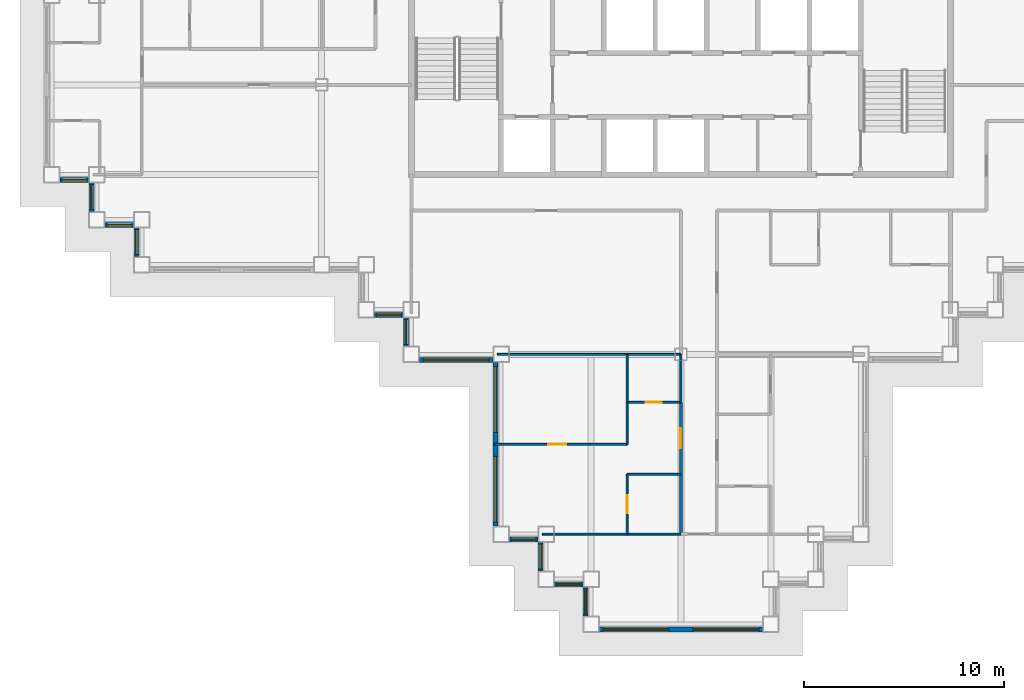
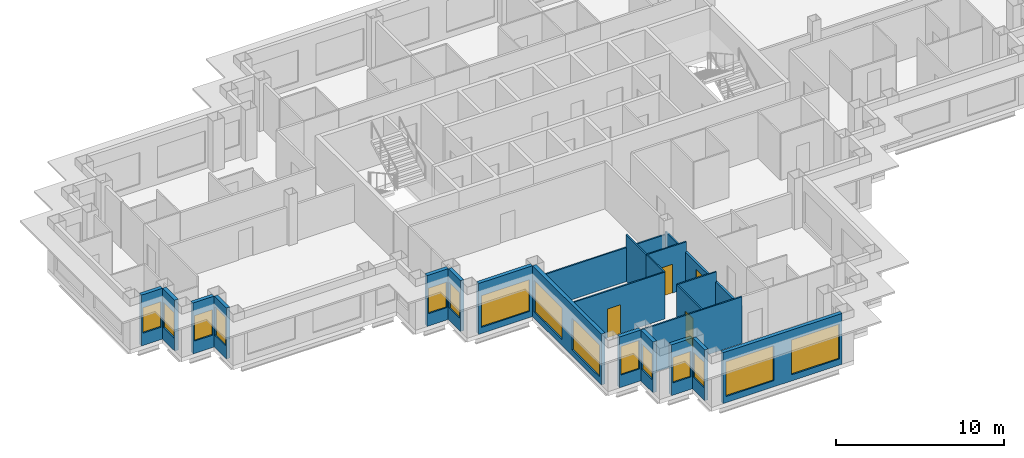
# One storey, part 3 of 13: 24 walls, 15 windows, 4 doors, 19 openings.
"""IFC4 building model written with IfcOpenShell, lengths in metres."""

from ifc_helpers import new_model, si_unit, direction, frame, frame_2d, origin, place, context, subcontext, project, spatial, rectangle, extrude, material, layer, layer_set, type_object, element, fill, save


model = new_model("IFC4")

# Units and contexts
model_context = context("Model", 3, precision=1e-05, world=origin(), true_north=direction((0.0, 1.0)))
body_context = subcontext(model_context, "Body", "Model", "MODEL_VIEW")
ifc_project = project(units=[si_unit("LENGTHUNIT", "METRE"), si_unit("AREAUNIT", "SQUARE_METRE"), si_unit("VOLUMEUNIT", "CUBIC_METRE"), si_unit("PLANEANGLEUNIT", "RADIAN"), si_unit("MASSUNIT", "GRAM", prefix="KILO")], contexts=[model_context])

# Site, building, storey
site_placement = place(None, origin())
site = spatial("IfcSite", under=ifc_project, at=site_placement, CompositionType="ELEMENT")
building_placement = place(site_placement, origin())
building = spatial("IfcBuilding", under=site, at=building_placement, Name="Caravel Reach Hotel and Residences", CompositionType="ELEMENT")
storey_placement = place(building_placement, frame((0.0, 0.0, 154.300048828125)))
storey = spatial("IfcBuildingStorey", under=building, at=storey_placement, Name="L38", CompositionType="ELEMENT", Elevation=154.300048828125)

# Wall, opening, door
ifc_material_1 = material(Name="Gypsum board on steel stud", Category="steel")
ifc_layer_1 = layer(ifc_material_1, 0.10009765625)
ifc_layer_set_1 = layer_set([ifc_layer_1], Name="Bathroom pod wall 100 mm")
wall_type_1 = type_object("IfcWallType", Name="Bathroom pod wall 100 mm", PredefinedType="PARTITIONING", material=ifc_layer_set_1)
wall_1_placement = place(storey_placement, frame((28.800048828125, 11.10009765625, 0.0), z_axis=(0.0, 0.0, 1.0), x_axis=(1.0, 0.0, 0.0)))
wall_1 = element("IfcWall", 1, at=wall_1_placement, inside=storey, type_object=wall_type_1, Name="L38 wall w080", PredefinedType="PARTITIONING", context=body_context, shape_type="SweptSolid", body=[
    extrude(rectangle(XDim=2.699951171875, YDim=0.10009765625, at=frame_2d((1.35009765625, 0.0))), origin(), (0.0, 0.0, 1.0), 3.39990234375),
])
opening_1_placement = place(wall_1_placement, frame((0.949951171875, 0.0, 0.0)))
opening_1 = element("IfcOpeningElement", 2, at=opening_1_placement, cuts=wall_1, Name="Opening D38-041", PredefinedType="OPENING", context=body_context, shape_type="SweptSolid", body=[
    extrude(rectangle(XDim=0.800048828125, YDim=2.10009765625, at=frame_2d((0.39990234375, 1.050048828125))), frame((0.0, 0.06005859375, 0.0), z_axis=(0.0, -1.0, 0.0), x_axis=(1.0, 0.0, 0.0)), (0.0, 0.0, 1.0), 0.1201171875),
])
ifc_material_2 = material(Name="Timber and steel door leaf", Category="steel")
door_type_1 = type_object("IfcDoorType", Name="Bathroom door 800 x 2100", OperationType="SINGLE_SWING_LEFT", PredefinedType="DOOR", material=ifc_material_2)
door_1_placement = place(opening_1_placement, origin())
door_1 = element("IfcDoor", 3, at=door_1_placement, inside=storey, type_object=door_type_1, Name="door D38-041", OperationType="SINGLE_SWING_RIGHT", OverallHeight=2.10009765625, OverallWidth=0.800048828125, PredefinedType="DOOR", context=body_context, shape_type="SweptSolid", body=[
    extrude(rectangle(XDim=0.800048828125, YDim=2.10009765625, at=frame_2d((0.39990234375, 1.050048828125))), frame((0.0, 0.02490234375, 0.0), z_axis=(0.0, -1.0, 0.0), x_axis=(1.0, 0.0, 0.0)), (0.0, 0.0, 1.0), 0.050048828125),
])
fill(opening_1, door_1)

# Walls
wall_2_placement = place(storey_placement, frame((28.800048828125, 13.5, 0.0), z_axis=(0.0, 0.0, 1.0), x_axis=(1.0, 0.0, 0.0)))
element("IfcWall", 4, at=wall_2_placement, inside=storey, type_object=wall_type_1, Name="L38 wall w081", PredefinedType="PARTITIONING", context=body_context, shape_type="SweptSolid", body=[
    extrude(rectangle(XDim=2.699951171875, YDim=0.10009765625, at=frame_2d((1.35009765625, 0.0))), origin(), (0.0, 0.0, 1.0), 2.47998046875),
])
wall_3_placement = place(storey_placement, frame((28.800048828125, 11.10009765625, 0.0), z_axis=(0.0, 0.0, 1.0), x_axis=(0.0, 1.0, 0.0)))
element("IfcWall", 5, at=wall_3_placement, inside=storey, type_object=wall_type_1, Name="L38 wall w101", PredefinedType="PARTITIONING", context=body_context, shape_type="SweptSolid", body=[
    extrude(rectangle(XDim=2.39990234375, YDim=0.10009765625, at=frame_2d((1.199951171875, 0.0))), origin(), (0.0, 0.0, 1.0), 3.39990234375),
])
wall_4_placement = place(storey_placement, frame((31.5, 11.10009765625, 0.0), z_axis=(0.0, 0.0, 1.0), x_axis=(0.0, 1.0, 0.0)))
element("IfcWall", 6, at=wall_4_placement, inside=storey, type_object=wall_type_1, Name="L38 wall w103", PredefinedType="PARTITIONING", context=body_context, shape_type="SweptSolid", body=[
    extrude(rectangle(XDim=2.39990234375, YDim=0.10009765625, at=frame_2d((1.199951171875, 0.0))), origin(), (0.0, 0.0, 1.0), 2.679931640625),
])

# Wall, opening, door
ifc_material_3 = material(Name="Gypsum board on steel stud, fire-rated", Category="steel")
ifc_layer_2 = layer(ifc_material_3, 0.14990234375)
ifc_layer_set_2 = layer_set([ifc_layer_2], Name="Corridor wall 150 mm EI 60")
wall_type_2 = type_object("IfcWallType", Name="Corridor wall 150 mm EI 60", PredefinedType="PARTITIONING", material=ifc_layer_set_2)
wall_5_placement = place(storey_placement, frame((31.5, 4.5, 0.0), z_axis=(0.0, 0.0, 1.0), x_axis=(0.0, 1.0, 0.0)))
wall_5 = element("IfcWall", 7, at=wall_5_placement, inside=storey, type_object=wall_type_2, Name="L38 wall w025", PredefinedType="PARTITIONING", context=body_context, shape_type="SweptSolid", body=[
    extrude(rectangle(XDim=6.60009765625, YDim=0.14990234375, at=frame_2d((3.300048828125, 0.0))), origin(), (0.0, 0.0, 1.0), 2.679931640625),
])
opening_2_placement = place(wall_5_placement, frame((4.300048828125, 0.0, 0.0)))
opening_2 = element("IfcOpeningElement", 8, at=opening_2_placement, cuts=wall_5, Name="Opening D38-039", PredefinedType="OPENING", context=body_context, shape_type="SweptSolid", body=[
    extrude(rectangle(XDim=1.0, YDim=2.199951171875, at=frame_2d((0.5, 1.10009765625))), frame((0.0, 0.0849609375, 0.0), z_axis=(0.0, -1.0, 0.0), x_axis=(1.0, 0.0, 0.0)), (0.0, 0.0, 1.0), 0.169921875),
])
ifc_material_4 = material(Name="Steel fire door leaf", Category="steel")
door_type_2 = type_object("IfcDoorType", Name="Flat entrance door 1000 x 2200 EI 60", OperationType="SINGLE_SWING_LEFT", PredefinedType="DOOR", material=ifc_material_4)
door_2_placement = place(opening_2_placement, origin())
door_2 = element("IfcDoor", 9, at=door_2_placement, inside=storey, type_object=door_type_2, Name="door D38-039", OperationType="SINGLE_SWING_RIGHT", OverallHeight=2.199951171875, OverallWidth=1.0, PredefinedType="DOOR", context=body_context, shape_type="SweptSolid", body=[
    extrude(rectangle(XDim=1.0, YDim=2.199951171875, at=frame_2d((0.5, 1.10009765625))), frame((0.0, 0.02490234375, 0.0), z_axis=(0.0, -1.0, 0.0), x_axis=(1.0, 0.0, 0.0)), (0.0, 0.0, 1.0), 0.050048828125),
])
fill(opening_2, door_2)

# Wall, opening, window
ifc_material_5 = material(Name="Insulated rainscreen wall, aluminium cladding", Category="aluminium")
ifc_layer_3 = layer(ifc_material_5, 0.25)
ifc_layer_set_3 = layer_set([ifc_layer_3], Name="EW1 Tower rainscreen wall")
wall_type_3 = type_object("IfcWallType", Name="EW1 Tower rainscreen wall", PredefinedType="SOLIDWALL", material=ifc_layer_set_3)
wall_6_placement = place(storey_placement, frame((22.89990234375, 4.22509765625, 0.0), z_axis=(0.0, 0.0, 1.0), x_axis=(1.0, 0.0, 0.0)))
wall_6 = element("IfcWall", 10, at=wall_6_placement, inside=storey, type_object=wall_type_3, Name="External wall L38 S1.1", PredefinedType="SOLIDWALL", context=body_context, shape_type="SweptSolid", body=[
    extrude(rectangle(XDim=1.4501953125, YDim=0.25, at=frame_2d((0.72509765625, 0.0))), origin(), (0.0, 0.0, 1.0), 3.699951171875),
])
opening_3_placement = place(wall_6_placement, frame((0.10009765625, 0.0, 0.89990234375)))
opening_3 = element("IfcOpeningElement", 11, at=opening_3_placement, cuts=wall_6, Name="Opening WN12", PredefinedType="OPENING", context=body_context, shape_type="SweptSolid", body=[
    extrude(rectangle(XDim=1.25, YDim=2.080078125, at=frame_2d((0.625, 1.0400390625))), frame((0.0, 0.135009765625, 0.0), z_axis=(0.0, -1.0, 0.0), x_axis=(1.0, 0.0, 0.0)), (0.0, 0.0, 1.0), 0.27001953125),
])
ifc_material_6 = material(Name="Dark low-e glazing in black aluminium frame", Category="aluminium")
window_type_1 = type_object("IfcWindowType", Name="Residence bedroom window 1250 x 2080", PartitioningType="SINGLE_PANEL", PredefinedType="WINDOW", material=ifc_material_6)
window_1_placement = place(opening_3_placement, origin())
window_1 = element("IfcWindow", 12, at=window_1_placement, inside=storey, type_object=window_type_1, Name="Window L38 S1.1.1", OverallHeight=2.080078125, OverallWidth=1.25, PartitioningType="SINGLE_PANEL", PredefinedType="WINDOW", context=body_context, shape_type="SweptSolid", body=[
    extrude(rectangle(XDim=1.25, YDim=2.080078125, at=frame_2d((0.625, 1.0400390625))), frame((0.0, 0.030029296875, 0.0), z_axis=(0.0, -1.0, 0.0), x_axis=(1.0, 0.0, 0.0)), (0.0, 0.0, 1.0), 0.06005859375),
])
fill(opening_3, window_1)

wall_7_placement = place(storey_placement, frame((24.47509765625, 4.10009765625, 0.0), z_axis=(0.0, 0.0, 1.0), x_axis=(0.0, -1.0, 0.0)))
wall_7 = element("IfcWall", 13, at=wall_7_placement, inside=storey, type_object=wall_type_3, Name="External wall L38 W2.1", PredefinedType="SOLIDWALL", context=body_context, shape_type="SweptSolid", body=[
    extrude(rectangle(XDim=1.4501953125, YDim=0.25, at=frame_2d((0.72509765625, 0.0))), origin(), (0.0, 0.0, 1.0), 3.699951171875),
])
opening_4_placement = place(wall_7_placement, frame((0.10009765625, 0.0, 0.89990234375)))
opening_4 = element("IfcOpeningElement", 14, at=opening_4_placement, cuts=wall_7, Name="Opening WN13", PredefinedType="OPENING", context=body_context, shape_type="SweptSolid", body=[
    extrude(rectangle(XDim=1.25, YDim=1.85009765625, at=frame_2d((0.625, 0.925048828125))), frame((0.0, 0.135009765625, 0.0), z_axis=(0.0, -1.0, 0.0), x_axis=(1.0, 0.0, 0.0)), (0.0, 0.0, 1.0), 0.27001953125),
])
ifc_material_7 = material(Name="Dark low-e glazing in black aluminium frame", Category="aluminium")
window_type_2 = type_object("IfcWindowType", Name="Residence bedroom window 1250 x 1850", PartitioningType="SINGLE_PANEL", PredefinedType="WINDOW", material=ifc_material_7)
window_2_placement = place(opening_4_placement, origin())
window_2 = element("IfcWindow", 15, at=window_2_placement, inside=storey, type_object=window_type_2, Name="Window L38 W2.1.1", OverallHeight=1.85009765625, OverallWidth=1.25, PartitioningType="SINGLE_PANEL", PredefinedType="WINDOW", context=body_context, shape_type="SweptSolid", body=[
    extrude(rectangle(XDim=1.25, YDim=1.85009765625, at=frame_2d((0.625, 0.925048828125))), frame((0.0, 0.030029296875, 0.0), z_axis=(0.0, -1.0, 0.0), x_axis=(1.0, 0.0, 0.0)), (0.0, 0.0, 1.0), 0.06005859375),
])
fill(opening_4, window_2)

wall_8_placement = place(storey_placement, frame((25.14990234375, 1.97509765625, 0.0), z_axis=(0.0, 0.0, 1.0), x_axis=(1.0, 0.0, 0.0)))
wall_8 = element("IfcWall", 16, at=wall_8_placement, inside=storey, type_object=wall_type_3, Name="External wall L38 S3.1", PredefinedType="SOLIDWALL", context=body_context, shape_type="SweptSolid", body=[
    extrude(rectangle(XDim=1.4501953125, YDim=0.25, at=frame_2d((0.72509765625, 0.0))), origin(), (0.0, 0.0, 1.0), 3.699951171875),
])
opening_5_placement = place(wall_8_placement, frame((0.10009765625, 0.0, 0.89990234375)))
opening_5 = element("IfcOpeningElement", 17, at=opening_5_placement, cuts=wall_8, Name="Opening WN13", PredefinedType="OPENING", context=body_context, shape_type="SweptSolid", body=[
    extrude(rectangle(XDim=1.25, YDim=1.85009765625, at=frame_2d((0.625, 0.925048828125))), frame((0.0, 0.135009765625, 0.0), z_axis=(0.0, -1.0, 0.0), x_axis=(1.0, 0.0, 0.0)), (0.0, 0.0, 1.0), 0.27001953125),
])
window_3_placement = place(opening_5_placement, origin())
window_3 = element("IfcWindow", 18, at=window_3_placement, inside=storey, type_object=window_type_2, Name="Window L38 S3.1.1", OverallHeight=1.85009765625, OverallWidth=1.25, PartitioningType="SINGLE_PANEL", PredefinedType="WINDOW", context=body_context, shape_type="SweptSolid", body=[
    extrude(rectangle(XDim=1.25, YDim=1.85009765625, at=frame_2d((0.625, 0.925048828125))), frame((0.0, 0.030029296875, 0.0), z_axis=(0.0, -1.0, 0.0), x_axis=(1.0, 0.0, 0.0)), (0.0, 0.0, 1.0), 0.06005859375),
])
fill(opening_5, window_3)

wall_9_placement = place(storey_placement, frame((26.72509765625, 1.85009765625, 0.0), z_axis=(0.0, 0.0, 1.0), x_axis=(0.0, -1.0, 0.0)))
wall_9 = element("IfcWall", 19, at=wall_9_placement, inside=storey, type_object=wall_type_3, Name="External wall L38 W4.1", PredefinedType="SOLIDWALL", context=body_context, shape_type="SweptSolid", body=[
    extrude(rectangle(XDim=1.4501953125, YDim=0.25, at=frame_2d((0.72509765625, 0.0))), origin(), (0.0, 0.0, 1.0), 3.699951171875),
])
opening_6_placement = place(wall_9_placement, frame((0.10009765625, 0.0, 0.89990234375)))
opening_6 = element("IfcOpeningElement", 20, at=opening_6_placement, cuts=wall_9, Name="Opening WN13", PredefinedType="OPENING", context=body_context, shape_type="SweptSolid", body=[
    extrude(rectangle(XDim=1.25, YDim=1.85009765625, at=frame_2d((0.625, 0.925048828125))), frame((0.0, 0.135009765625, 0.0), z_axis=(0.0, -1.0, 0.0), x_axis=(1.0, 0.0, 0.0)), (0.0, 0.0, 1.0), 0.27001953125),
])
window_4_placement = place(opening_6_placement, origin())
window_4 = element("IfcWindow", 21, at=window_4_placement, inside=storey, type_object=window_type_2, Name="Window L38 W4.1.1", OverallHeight=1.85009765625, OverallWidth=1.25, PartitioningType="SINGLE_PANEL", PredefinedType="WINDOW", context=body_context, shape_type="SweptSolid", body=[
    extrude(rectangle(XDim=1.25, YDim=1.85009765625, at=frame_2d((0.625, 0.925048828125))), frame((0.0, 0.030029296875, 0.0), z_axis=(0.0, -1.0, 0.0), x_axis=(1.0, 0.0, 0.0)), (0.0, 0.0, 1.0), 0.06005859375),
])
fill(opening_6, window_4)

# Wall, openings, windows
wall_10_placement = place(storey_placement, frame((27.39990234375, -0.27490234375, 0.0), z_axis=(0.0, 0.0, 1.0), x_axis=(1.0, 0.0, 0.0)))
wall_10 = element("IfcWall", 22, at=wall_10_placement, inside=storey, type_object=wall_type_3, Name="External wall L38 S5.1", PredefinedType="SOLIDWALL", context=body_context, shape_type="SweptSolid", body=[
    extrude(rectangle(XDim=8.2001953125, YDim=0.25, at=frame_2d((4.10009765625, 0.0))), origin(), (0.0, 0.0, 1.0), 3.699951171875),
])
opening_7_placement = place(wall_10_placement, frame((0.199951171875, 0.0, 0.449951171875)))
opening_7 = element("IfcOpeningElement", 23, at=opening_7_placement, cuts=wall_10, Name="Opening WN14", PredefinedType="OPENING", context=body_context, shape_type="SweptSolid", body=[
    extrude(rectangle(XDim=3.300048828125, YDim=2.530029296875, at=frame_2d((1.64990234375, 1.26513671875))), frame((0.0, 0.135009765625, 0.0), z_axis=(0.0, -1.0, 0.0), x_axis=(1.0, 0.0, 0.0)), (0.0, 0.0, 1.0), 0.27001953125),
])
opening_8_placement = place(wall_10_placement, frame((4.699951171875, 0.0, 0.449951171875)))
opening_8 = element("IfcOpeningElement", 24, at=opening_8_placement, cuts=wall_10, Name="Opening WN14", PredefinedType="OPENING", context=body_context, shape_type="SweptSolid", body=[
    extrude(rectangle(XDim=3.300048828125, YDim=2.530029296875, at=frame_2d((1.64990234375, 1.26513671875))), frame((0.0, 0.135009765625, 0.0), z_axis=(0.0, -1.0, 0.0), x_axis=(1.0, 0.0, 0.0)), (0.0, 0.0, 1.0), 0.27001953125),
])
ifc_material_8 = material(Name="Dark low-e glazing in black aluminium frame", Category="aluminium")
window_type_3 = type_object("IfcWindowType", Name="Residence living window 3300 x 2530", PartitioningType="SINGLE_PANEL", PredefinedType="WINDOW", material=ifc_material_8)
window_5_placement = place(opening_7_placement, origin())
window_5 = element("IfcWindow", 25, at=window_5_placement, inside=storey, type_object=window_type_3, Name="Window L38 S5.1.1", OverallHeight=2.530029296875, OverallWidth=3.300048828125, PartitioningType="SINGLE_PANEL", PredefinedType="WINDOW", context=body_context, shape_type="SweptSolid", body=[
    extrude(rectangle(XDim=3.300048828125, YDim=2.530029296875, at=frame_2d((1.64990234375, 1.26513671875))), frame((0.0, 0.030029296875, 0.0), z_axis=(0.0, -1.0, 0.0), x_axis=(1.0, 0.0, 0.0)), (0.0, 0.0, 1.0), 0.06005859375),
])
fill(opening_7, window_5)
window_6_placement = place(opening_8_placement, origin())
window_6 = element("IfcWindow", 26, at=window_6_placement, inside=storey, type_object=window_type_3, Name="Window L38 S5.1.2", OverallHeight=2.530029296875, OverallWidth=3.300048828125, PartitioningType="SINGLE_PANEL", PredefinedType="WINDOW", context=body_context, shape_type="SweptSolid", body=[
    extrude(rectangle(XDim=3.300048828125, YDim=2.530029296875, at=frame_2d((1.64990234375, 1.26513671875))), frame((0.0, 0.030029296875, 0.0), z_axis=(0.0, -1.0, 0.0), x_axis=(1.0, 0.0, 0.0)), (0.0, 0.0, 1.0), 0.06005859375),
])
fill(opening_8, window_6)

# Wall, opening, window
wall_11_placement = place(storey_placement, frame((0.39990234375, 22.22509765625, 0.0), z_axis=(0.0, 0.0, 1.0), x_axis=(1.0, 0.0, 0.0)))
wall_11 = element("IfcWall", 27, at=wall_11_placement, inside=storey, type_object=wall_type_3, Name="External wall L38 S39.1", PredefinedType="SOLIDWALL", context=body_context, shape_type="SweptSolid", body=[
    extrude(rectangle(XDim=1.4501953125, YDim=0.25, at=frame_2d((0.72509765625, 0.0))), origin(), (0.0, 0.0, 1.0), 3.699951171875),
])
opening_9_placement = place(wall_11_placement, frame((0.10009765625, 0.0, 0.89990234375)))
opening_9 = element("IfcOpeningElement", 28, at=opening_9_placement, cuts=wall_11, Name="Opening WN13", PredefinedType="OPENING", context=body_context, shape_type="SweptSolid", body=[
    extrude(rectangle(XDim=1.25, YDim=1.85009765625, at=frame_2d((0.625, 0.925048828125))), frame((0.0, 0.135009765625, 0.0), z_axis=(0.0, -1.0, 0.0), x_axis=(1.0, 0.0, 0.0)), (0.0, 0.0, 1.0), 0.27001953125),
])
window_7_placement = place(opening_9_placement, origin())
window_7 = element("IfcWindow", 29, at=window_7_placement, inside=storey, type_object=window_type_2, Name="Window L38 S39.1.1", OverallHeight=1.85009765625, OverallWidth=1.25, PartitioningType="SINGLE_PANEL", PredefinedType="WINDOW", context=body_context, shape_type="SweptSolid", body=[
    extrude(rectangle(XDim=1.25, YDim=1.85009765625, at=frame_2d((0.625, 0.925048828125))), frame((0.0, 0.030029296875, 0.0), z_axis=(0.0, -1.0, 0.0), x_axis=(1.0, 0.0, 0.0)), (0.0, 0.0, 1.0), 0.06005859375),
])
fill(opening_9, window_7)

wall_12_placement = place(storey_placement, frame((1.97509765625, 22.10009765625, 0.0), z_axis=(0.0, 0.0, 1.0), x_axis=(0.0, -1.0, 0.0)))
wall_12 = element("IfcWall", 30, at=wall_12_placement, inside=storey, type_object=wall_type_3, Name="External wall L38 W40.1", PredefinedType="SOLIDWALL", context=body_context, shape_type="SweptSolid", body=[
    extrude(rectangle(XDim=1.4501953125, YDim=0.25, at=frame_2d((0.72509765625, 0.0))), origin(), (0.0, 0.0, 1.0), 3.699951171875),
])
opening_10_placement = place(wall_12_placement, frame((0.10009765625, 0.0, 0.89990234375)))
opening_10 = element("IfcOpeningElement", 31, at=opening_10_placement, cuts=wall_12, Name="Opening WN13", PredefinedType="OPENING", context=body_context, shape_type="SweptSolid", body=[
    extrude(rectangle(XDim=1.25, YDim=1.85009765625, at=frame_2d((0.625, 0.925048828125))), frame((0.0, 0.135009765625, 0.0), z_axis=(0.0, -1.0, 0.0), x_axis=(1.0, 0.0, 0.0)), (0.0, 0.0, 1.0), 0.27001953125),
])
window_8_placement = place(opening_10_placement, origin())
window_8 = element("IfcWindow", 32, at=window_8_placement, inside=storey, type_object=window_type_2, Name="Window L38 W40.1.1", OverallHeight=1.85009765625, OverallWidth=1.25, PartitioningType="SINGLE_PANEL", PredefinedType="WINDOW", context=body_context, shape_type="SweptSolid", body=[
    extrude(rectangle(XDim=1.25, YDim=1.85009765625, at=frame_2d((0.625, 0.925048828125))), frame((0.0, 0.030029296875, 0.0), z_axis=(0.0, -1.0, 0.0), x_axis=(1.0, 0.0, 0.0)), (0.0, 0.0, 1.0), 0.06005859375),
])
fill(opening_10, window_8)

wall_13_placement = place(storey_placement, frame((2.64990234375, 19.97509765625, 0.0), z_axis=(0.0, 0.0, 1.0), x_axis=(1.0, 0.0, 0.0)))
wall_13 = element("IfcWall", 33, at=wall_13_placement, inside=storey, type_object=wall_type_3, Name="External wall L38 S41.1", PredefinedType="SOLIDWALL", context=body_context, shape_type="SweptSolid", body=[
    extrude(rectangle(XDim=1.4501953125, YDim=0.25, at=frame_2d((0.72509765625, 0.0))), origin(), (0.0, 0.0, 1.0), 3.699951171875),
])
opening_11_placement = place(wall_13_placement, frame((0.10009765625, 0.0, 0.89990234375)))
opening_11 = element("IfcOpeningElement", 34, at=opening_11_placement, cuts=wall_13, Name="Opening WN13", PredefinedType="OPENING", context=body_context, shape_type="SweptSolid", body=[
    extrude(rectangle(XDim=1.25, YDim=1.85009765625, at=frame_2d((0.625, 0.925048828125))), frame((0.0, 0.135009765625, 0.0), z_axis=(0.0, -1.0, 0.0), x_axis=(1.0, 0.0, 0.0)), (0.0, 0.0, 1.0), 0.27001953125),
])
window_9_placement = place(opening_11_placement, origin())
window_9 = element("IfcWindow", 35, at=window_9_placement, inside=storey, type_object=window_type_2, Name="Window L38 S41.1.1", OverallHeight=1.85009765625, OverallWidth=1.25, PartitioningType="SINGLE_PANEL", PredefinedType="WINDOW", context=body_context, shape_type="SweptSolid", body=[
    extrude(rectangle(XDim=1.25, YDim=1.85009765625, at=frame_2d((0.625, 0.925048828125))), frame((0.0, 0.030029296875, 0.0), z_axis=(0.0, -1.0, 0.0), x_axis=(1.0, 0.0, 0.0)), (0.0, 0.0, 1.0), 0.06005859375),
])
fill(opening_11, window_9)

wall_14_placement = place(storey_placement, frame((4.22509765625, 19.85009765625, 0.0), z_axis=(0.0, 0.0, 1.0), x_axis=(0.0, -1.0, 0.0)))
wall_14 = element("IfcWall", 36, at=wall_14_placement, inside=storey, type_object=wall_type_3, Name="External wall L38 W42.1", PredefinedType="SOLIDWALL", context=body_context, shape_type="SweptSolid", body=[
    extrude(rectangle(XDim=1.4501953125, YDim=0.25, at=frame_2d((0.72509765625, 0.0))), origin(), (0.0, 0.0, 1.0), 3.699951171875),
])
opening_12_placement = place(wall_14_placement, frame((0.10009765625, 0.0, 0.89990234375)))
opening_12 = element("IfcOpeningElement", 37, at=opening_12_placement, cuts=wall_14, Name="Opening WN12", PredefinedType="OPENING", context=body_context, shape_type="SweptSolid", body=[
    extrude(rectangle(XDim=1.25, YDim=2.080078125, at=frame_2d((0.625, 1.0400390625))), frame((0.0, 0.135009765625, 0.0), z_axis=(0.0, -1.0, 0.0), x_axis=(1.0, 0.0, 0.0)), (0.0, 0.0, 1.0), 0.27001953125),
])
window_10_placement = place(opening_12_placement, origin())
window_10 = element("IfcWindow", 38, at=window_10_placement, inside=storey, type_object=window_type_1, Name="Window L38 W42.1.1", OverallHeight=2.080078125, OverallWidth=1.25, PartitioningType="SINGLE_PANEL", PredefinedType="WINDOW", context=body_context, shape_type="SweptSolid", body=[
    extrude(rectangle(XDim=1.25, YDim=2.080078125, at=frame_2d((0.625, 1.0400390625))), frame((0.0, 0.030029296875, 0.0), z_axis=(0.0, -1.0, 0.0), x_axis=(1.0, 0.0, 0.0)), (0.0, 0.0, 1.0), 0.06005859375),
])
fill(opening_12, window_10)

wall_15_placement = place(storey_placement, frame((16.14990234375, 15.47509765625, 0.0), z_axis=(0.0, 0.0, 1.0), x_axis=(1.0, 0.0, 0.0)))
wall_15 = element("IfcWall", 39, at=wall_15_placement, inside=storey, type_object=wall_type_3, Name="External wall L38 S45.1", PredefinedType="SOLIDWALL", context=body_context, shape_type="SweptSolid", body=[
    extrude(rectangle(XDim=1.4501953125, YDim=0.25, at=frame_2d((0.72509765625, 0.0))), origin(), (0.0, 0.0, 1.0), 3.699951171875),
])
opening_13_placement = place(wall_15_placement, frame((0.10009765625, 0.0, 0.89990234375)))
opening_13 = element("IfcOpeningElement", 40, at=opening_13_placement, cuts=wall_15, Name="Opening WN13", PredefinedType="OPENING", context=body_context, shape_type="SweptSolid", body=[
    extrude(rectangle(XDim=1.25, YDim=1.85009765625, at=frame_2d((0.625, 0.925048828125))), frame((0.0, 0.135009765625, 0.0), z_axis=(0.0, -1.0, 0.0), x_axis=(1.0, 0.0, 0.0)), (0.0, 0.0, 1.0), 0.27001953125),
])
window_11_placement = place(opening_13_placement, origin())
window_11 = element("IfcWindow", 41, at=window_11_placement, inside=storey, type_object=window_type_2, Name="Window L38 S45.1.1", OverallHeight=1.85009765625, OverallWidth=1.25, PartitioningType="SINGLE_PANEL", PredefinedType="WINDOW", context=body_context, shape_type="SweptSolid", body=[
    extrude(rectangle(XDim=1.25, YDim=1.85009765625, at=frame_2d((0.625, 0.925048828125))), frame((0.0, 0.030029296875, 0.0), z_axis=(0.0, -1.0, 0.0), x_axis=(1.0, 0.0, 0.0)), (0.0, 0.0, 1.0), 0.06005859375),
])
fill(opening_13, window_11)

wall_16_placement = place(storey_placement, frame((17.72509765625, 15.35009765625, 0.0), z_axis=(0.0, 0.0, 1.0), x_axis=(0.0, -1.0, 0.0)))
wall_16 = element("IfcWall", 42, at=wall_16_placement, inside=storey, type_object=wall_type_3, Name="External wall L38 W46.1", PredefinedType="SOLIDWALL", context=body_context, shape_type="SweptSolid", body=[
    extrude(rectangle(XDim=1.4501953125, YDim=0.25, at=frame_2d((0.72509765625, 0.0))), origin(), (0.0, 0.0, 1.0), 3.699951171875),
])
opening_14_placement = place(wall_16_placement, frame((0.10009765625, 0.0, 0.89990234375)))
opening_14 = element("IfcOpeningElement", 43, at=opening_14_placement, cuts=wall_16, Name="Opening WN13", PredefinedType="OPENING", context=body_context, shape_type="SweptSolid", body=[
    extrude(rectangle(XDim=1.25, YDim=1.85009765625, at=frame_2d((0.625, 0.925048828125))), frame((0.0, 0.135009765625, 0.0), z_axis=(0.0, -1.0, 0.0), x_axis=(1.0, 0.0, 0.0)), (0.0, 0.0, 1.0), 0.27001953125),
])
window_12_placement = place(opening_14_placement, origin())
window_12 = element("IfcWindow", 44, at=window_12_placement, inside=storey, type_object=window_type_2, Name="Window L38 W46.1.1", OverallHeight=1.85009765625, OverallWidth=1.25, PartitioningType="SINGLE_PANEL", PredefinedType="WINDOW", context=body_context, shape_type="SweptSolid", body=[
    extrude(rectangle(XDim=1.25, YDim=1.85009765625, at=frame_2d((0.625, 0.925048828125))), frame((0.0, 0.030029296875, 0.0), z_axis=(0.0, -1.0, 0.0), x_axis=(1.0, 0.0, 0.0)), (0.0, 0.0, 1.0), 0.06005859375),
])
fill(opening_14, window_12)

wall_17_placement = place(storey_placement, frame((18.39990234375, 13.22509765625, 0.0), z_axis=(0.0, 0.0, 1.0), x_axis=(1.0, 0.0, 0.0)))
wall_17 = element("IfcWall", 45, at=wall_17_placement, inside=storey, type_object=wall_type_3, Name="External wall L38 S47.1", PredefinedType="SOLIDWALL", context=body_context, shape_type="SweptSolid", body=[
    extrude(rectangle(XDim=3.7001953125, YDim=0.25, at=frame_2d((1.85009765625, 0.0))), origin(), (0.0, 0.0, 1.0), 3.699951171875),
])
opening_15_placement = place(wall_17_placement, frame((0.199951171875, 0.0, 0.449951171875)))
opening_15 = element("IfcOpeningElement", 46, at=opening_15_placement, cuts=wall_17, Name="Opening WN15", PredefinedType="OPENING", context=body_context, shape_type="SweptSolid", body=[
    extrude(rectangle(XDim=3.300048828125, YDim=2.300048828125, at=frame_2d((1.64990234375, 1.14990234375))), frame((0.0, 0.135009765625, 0.0), z_axis=(0.0, -1.0, 0.0), x_axis=(1.0, 0.0, 0.0)), (0.0, 0.0, 1.0), 0.27001953125),
])
ifc_material_9 = material(Name="Dark low-e glazing in black aluminium frame", Category="aluminium")
window_type_4 = type_object("IfcWindowType", Name="Residence living window 3300 x 2300", PartitioningType="SINGLE_PANEL", PredefinedType="WINDOW", material=ifc_material_9)
window_13_placement = place(opening_15_placement, origin())
window_13 = element("IfcWindow", 47, at=window_13_placement, inside=storey, type_object=window_type_4, Name="Window L38 S47.1.1", OverallHeight=2.300048828125, OverallWidth=3.300048828125, PartitioningType="SINGLE_PANEL", PredefinedType="WINDOW", context=body_context, shape_type="SweptSolid", body=[
    extrude(rectangle(XDim=3.300048828125, YDim=2.300048828125, at=frame_2d((1.64990234375, 1.14990234375))), frame((0.0, 0.030029296875, 0.0), z_axis=(0.0, -1.0, 0.0), x_axis=(1.0, 0.0, 0.0)), (0.0, 0.0, 1.0), 0.06005859375),
])
fill(opening_15, window_13)

# Wall, openings, windows
wall_18_placement = place(storey_placement, frame((22.22509765625, 13.10009765625, 0.0), z_axis=(0.0, 0.0, 1.0), x_axis=(0.0, -1.0, 0.0)))
wall_18 = element("IfcWall", 48, at=wall_18_placement, inside=storey, type_object=wall_type_3, Name="External wall L38 W48.1", PredefinedType="SOLIDWALL", context=body_context, shape_type="SweptSolid", body=[
    extrude(rectangle(XDim=8.2001953125, YDim=0.25, at=frame_2d((4.10009765625, 0.0))), origin(), (0.0, 0.0, 1.0), 3.699951171875),
])
opening_16_placement = place(wall_18_placement, frame((0.199951171875, 0.0, 0.449951171875)))
opening_16 = element("IfcOpeningElement", 49, at=opening_16_placement, cuts=wall_18, Name="Opening WN15", PredefinedType="OPENING", context=body_context, shape_type="SweptSolid", body=[
    extrude(rectangle(XDim=3.300048828125, YDim=2.300048828125, at=frame_2d((1.64990234375, 1.14990234375))), frame((0.0, 0.135009765625, 0.0), z_axis=(0.0, -1.0, 0.0), x_axis=(1.0, 0.0, 0.0)), (0.0, 0.0, 1.0), 0.27001953125),
])
opening_17_placement = place(wall_18_placement, frame((4.699951171875, 0.0, 0.449951171875)))
opening_17 = element("IfcOpeningElement", 50, at=opening_17_placement, cuts=wall_18, Name="Opening WN15", PredefinedType="OPENING", context=body_context, shape_type="SweptSolid", body=[
    extrude(rectangle(XDim=3.300048828125, YDim=2.300048828125, at=frame_2d((1.64990234375, 1.14990234375))), frame((0.0, 0.135009765625, 0.0), z_axis=(0.0, -1.0, 0.0), x_axis=(1.0, 0.0, 0.0)), (0.0, 0.0, 1.0), 0.27001953125),
])
window_14_placement = place(opening_16_placement, origin())
window_14 = element("IfcWindow", 51, at=window_14_placement, inside=storey, type_object=window_type_4, Name="Window L38 W48.1.1", OverallHeight=2.300048828125, OverallWidth=3.300048828125, PartitioningType="SINGLE_PANEL", PredefinedType="WINDOW", context=body_context, shape_type="SweptSolid", body=[
    extrude(rectangle(XDim=3.300048828125, YDim=2.300048828125, at=frame_2d((1.64990234375, 1.14990234375))), frame((0.0, 0.030029296875, 0.0), z_axis=(0.0, -1.0, 0.0), x_axis=(1.0, 0.0, 0.0)), (0.0, 0.0, 1.0), 0.06005859375),
])
fill(opening_16, window_14)
window_15_placement = place(opening_17_placement, origin())
window_15 = element("IfcWindow", 52, at=window_15_placement, inside=storey, type_object=window_type_4, Name="Window L38 W48.1.2", OverallHeight=2.300048828125, OverallWidth=3.300048828125, PartitioningType="SINGLE_PANEL", PredefinedType="WINDOW", context=body_context, shape_type="SweptSolid", body=[
    extrude(rectangle(XDim=3.300048828125, YDim=2.300048828125, at=frame_2d((1.64990234375, 1.14990234375))), frame((0.0, 0.030029296875, 0.0), z_axis=(0.0, -1.0, 0.0), x_axis=(1.0, 0.0, 0.0)), (0.0, 0.0, 1.0), 0.06005859375),
])
fill(opening_17, window_15)

# Walls
ifc_material_10 = material(Name="Gypsum board on steel stud", Category="steel")
ifc_layer_4 = layer(ifc_material_10, 0.10009765625)
ifc_layer_set_4 = layer_set([ifc_layer_4], Name="Partition 100 mm")
wall_type_4 = type_object("IfcWallType", Name="Partition 100 mm", PredefinedType="PARTITIONING", material=ifc_layer_set_4)
wall_19_placement = place(storey_placement, frame((22.31005859375, 13.5, 0.0), z_axis=(0.0, 0.0, 1.0), x_axis=(1.0, 0.0, 0.0)))
element("IfcWall", 53, at=wall_19_placement, inside=storey, type_object=wall_type_4, Name="L38 wall w035", PredefinedType="PARTITIONING", context=body_context, shape_type="SweptSolid", body=[
    extrude(rectangle(XDim=6.489990234375, YDim=0.10009765625, at=frame_2d((3.2451171875, 0.0))), origin(), (0.0, 0.0, 1.0), 2.47998046875),
])
wall_20_placement = place(storey_placement, frame((24.56005859375, 4.5, 0.0), z_axis=(0.0, 0.0, 1.0), x_axis=(1.0, 0.0, 0.0)))
element("IfcWall", 54, at=wall_20_placement, inside=storey, type_object=wall_type_4, Name="L38 wall w049", PredefinedType="PARTITIONING", context=body_context, shape_type="SweptSolid", body=[
    extrude(rectangle(XDim=6.93994140625, YDim=0.10009765625, at=frame_2d((3.469970703125, 0.0))), origin(), (0.0, 0.0, 1.0), 3.39990234375),
])
wall_21_placement = place(storey_placement, frame((28.800048828125, 7.5, 0.0), z_axis=(0.0, 0.0, 1.0), x_axis=(1.0, 0.0, 0.0)))
element("IfcWall", 55, at=wall_21_placement, inside=storey, type_object=wall_type_4, Name="L38 wall w051", PredefinedType="PARTITIONING", context=body_context, shape_type="SweptSolid", body=[
    extrude(rectangle(XDim=2.699951171875, YDim=0.10009765625, at=frame_2d((1.35009765625, 0.0))), origin(), (0.0, 0.0, 1.0), 3.39990234375),
])

# Wall, opening, door
wall_22_placement = place(storey_placement, frame((22.159912109375, 9.0, 0.0), z_axis=(0.0, 0.0, 1.0), x_axis=(1.0, 0.0, 0.0)))
wall_22 = element("IfcWall", 56, at=wall_22_placement, inside=storey, type_object=wall_type_4, Name="L38 wall w052", PredefinedType="PARTITIONING", context=body_context, shape_type="SweptSolid", body=[
    extrude(rectangle(XDim=6.64013671875, YDim=0.10009765625, at=frame_2d((3.320068359375, 0.0))), origin(), (0.0, 0.0, 1.0), 3.39990234375),
])
opening_18_placement = place(wall_22_placement, frame((2.699951171875, 0.0, 0.0)))
opening_18 = element("IfcOpeningElement", 57, at=opening_18_placement, cuts=wall_22, Name="Opening D38-042", PredefinedType="OPENING", context=body_context, shape_type="SweptSolid", body=[
    extrude(rectangle(XDim=0.89990234375, YDim=2.10009765625, at=frame_2d((0.449951171875, 1.050048828125))), frame((0.0, 0.06005859375, 0.0), z_axis=(0.0, -1.0, 0.0), x_axis=(1.0, 0.0, 0.0)), (0.0, 0.0, 1.0), 0.1201171875),
])
ifc_material_11 = material(Name="Timber and steel door leaf", Category="steel")
door_type_3 = type_object("IfcDoorType", Name="Door 900 x 2100 timber", OperationType="SINGLE_SWING_LEFT", PredefinedType="DOOR", material=ifc_material_11)
door_3_placement = place(opening_18_placement, origin())
door_3 = element("IfcDoor", 58, at=door_3_placement, inside=storey, type_object=door_type_3, Name="door D38-042", OperationType="SINGLE_SWING_RIGHT", OverallHeight=2.10009765625, OverallWidth=0.89990234375, PredefinedType="DOOR", context=body_context, shape_type="SweptSolid", body=[
    extrude(rectangle(XDim=0.89990234375, YDim=2.10009765625, at=frame_2d((0.449951171875, 1.050048828125))), frame((0.0, 0.02490234375, 0.0), z_axis=(0.0, -1.0, 0.0), x_axis=(1.0, 0.0, 0.0)), (0.0, 0.0, 1.0), 0.050048828125),
])
fill(opening_18, door_3)

# Wall
wall_23_placement = place(storey_placement, frame((28.800048828125, 9.0, 0.0), z_axis=(0.0, 0.0, 1.0), x_axis=(0.0, 1.0, 0.0)))
element("IfcWall", 59, at=wall_23_placement, inside=storey, type_object=wall_type_4, Name="L38 wall w059", PredefinedType="PARTITIONING", context=body_context, shape_type="SweptSolid", body=[
    extrude(rectangle(XDim=2.10009765625, YDim=0.10009765625, at=frame_2d((1.050048828125, 0.0))), origin(), (0.0, 0.0, 1.0), 3.39990234375),
])

# Wall, opening, door
wall_24_placement = place(storey_placement, frame((28.800048828125, 4.5, 0.0), z_axis=(0.0, 0.0, 1.0), x_axis=(0.0, 1.0, 0.0)))
wall_24 = element("IfcWall", 60, at=wall_24_placement, inside=storey, type_object=wall_type_4, Name="L38 wall w060", PredefinedType="PARTITIONING", context=body_context, shape_type="SweptSolid", body=[
    extrude(rectangle(XDim=3.0, YDim=0.10009765625, at=frame_2d((1.5, 0.0))), origin(), (0.0, 0.0, 1.0), 3.39990234375),
])
opening_19_placement = place(wall_24_placement, frame((1.050048828125, 0.0, 0.0)))
opening_19 = element("IfcOpeningElement", 61, at=opening_19_placement, cuts=wall_24, Name="Opening D38-040", PredefinedType="OPENING", context=body_context, shape_type="SweptSolid", body=[
    extrude(rectangle(XDim=0.89990234375, YDim=2.10009765625, at=frame_2d((0.449951171875, 1.050048828125))), frame((0.0, 0.06005859375, 0.0), z_axis=(0.0, -1.0, 0.0), x_axis=(1.0, 0.0, 0.0)), (0.0, 0.0, 1.0), 0.1201171875),
])
door_4_placement = place(opening_19_placement, origin())
door_4 = element("IfcDoor", 62, at=door_4_placement, inside=storey, type_object=door_type_3, Name="door D38-040", OperationType="SINGLE_SWING_RIGHT", OverallHeight=2.10009765625, OverallWidth=0.89990234375, PredefinedType="DOOR", context=body_context, shape_type="SweptSolid", body=[
    extrude(rectangle(XDim=0.89990234375, YDim=2.10009765625, at=frame_2d((0.449951171875, 1.050048828125))), frame((0.0, 0.02490234375, 0.0), z_axis=(0.0, -1.0, 0.0), x_axis=(1.0, 0.0, 0.0)), (0.0, 0.0, 1.0), 0.050048828125),
])
fill(opening_19, door_4)

save(model, "model.ifc")
